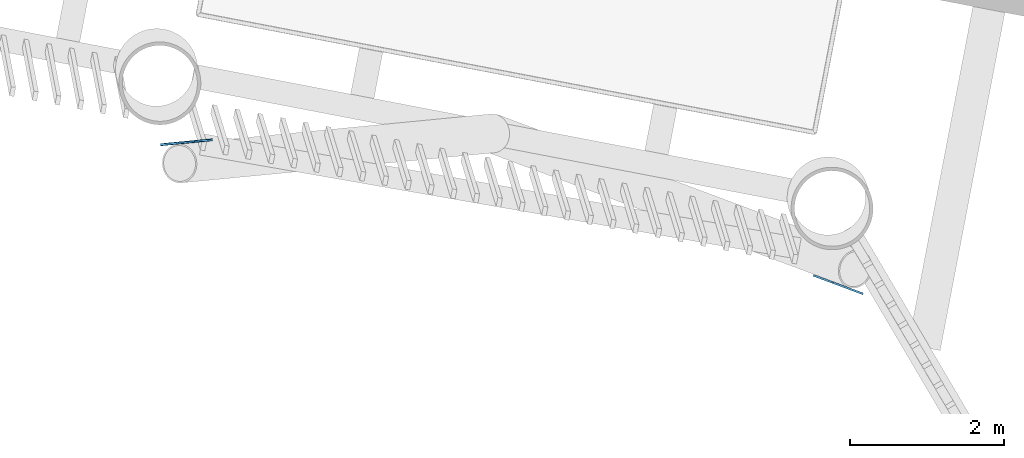
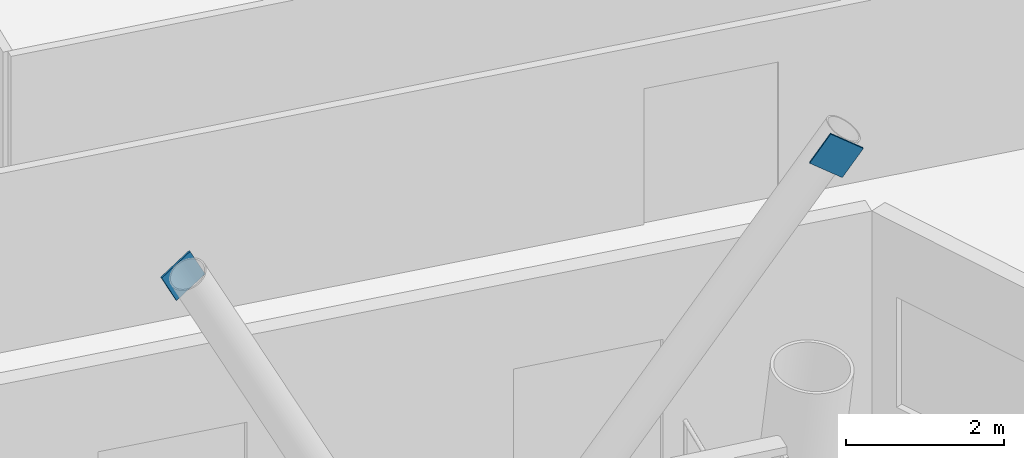
# One storey, part 12 of 23: 2 discrete accessories.
"""IFC4 building model written with IfcOpenShell, lengths in metres."""

from ifc_helpers import new_model, si_unit, direction, frame, origin, origin_2d, place, context, subcontext, project, spatial, rectangle, extrude, material, material_profile, profile_set, type_object, element, save


model = new_model("IFC4")

# Units and contexts
model_context = context("Model", 3, precision=1e-05, world=origin(), true_north=direction((0.0, 1.0)))
body_context = subcontext(model_context, "Body", "Model", "MODEL_VIEW")
ifc_project = project(units=[si_unit("LENGTHUNIT", "METRE"), si_unit("AREAUNIT", "SQUARE_METRE"), si_unit("VOLUMEUNIT", "CUBIC_METRE"), si_unit("PLANEANGLEUNIT", "RADIAN"), si_unit("MASSUNIT", "GRAM", prefix="KILO")], contexts=[model_context])

# Site, building, storey
site_placement = place(None, origin())
site = spatial("IfcSite", under=ifc_project, at=site_placement, CompositionType="ELEMENT")
building_placement = place(site_placement, origin())
building = spatial("IfcBuilding", under=site, at=building_placement, Name="Tarsis Ring Headquarters", CompositionType="ELEMENT")
storey_placement = place(building_placement, frame((0.0, 0.0, 239.39990234375)))
storey = spatial("IfcBuildingStorey", under=building, at=storey_placement, Name="L56", CompositionType="ELEMENT", Elevation=239.39990234375)

# Discrete accessories
ifc_material = material(Name="Structural steel S355", Category="steel")
ifc_material_profile = material_profile(ifc_material, rectangle(XDim=0.02490234375, YDim=0.5, at=origin_2d()), Name="PL 25x500")
ifc_profile_set = profile_set([ifc_material_profile], Name="Structural steel S355")
discrete_accessory_type = type_object("IfcDiscreteAccessoryType", Name="Gusset plate Exo brace 25", PredefinedType="BRACKET", material=ifc_profile_set)
for number, where, z_axis, x_axis, name in (
    (1, (-27.073974609375, -11.013671875, 7.800048828125), (-0.508355446013, 0.189961833332, -0.839934070261), (-0.350038465146, -0.936735327036, 0.0), "Gusset plate GP5"),
    (2, (-35.801513671875, -9.124755859375, 7.800048828125), (0.461942203004, 0.044436300712, -0.885796148255), (-0.09575250603, 0.995405172575, 0.0), "Gusset plate GP5"),
):
    element("IfcDiscreteAccessory", number, at=place(storey_placement, frame(where, z_axis=z_axis, x_axis=x_axis)), inside=storey, type_object=discrete_accessory_type, Name=name, PredefinedType="BRACKET", context=body_context, shape_type="SweptSolid", body=[
        extrude(rectangle(XDim=0.02490234375, YDim=0.5, at=origin_2d()), origin(), (0.0, 0.0, 1.0), 0.5),
    ])

save(model, "model.ifc")
